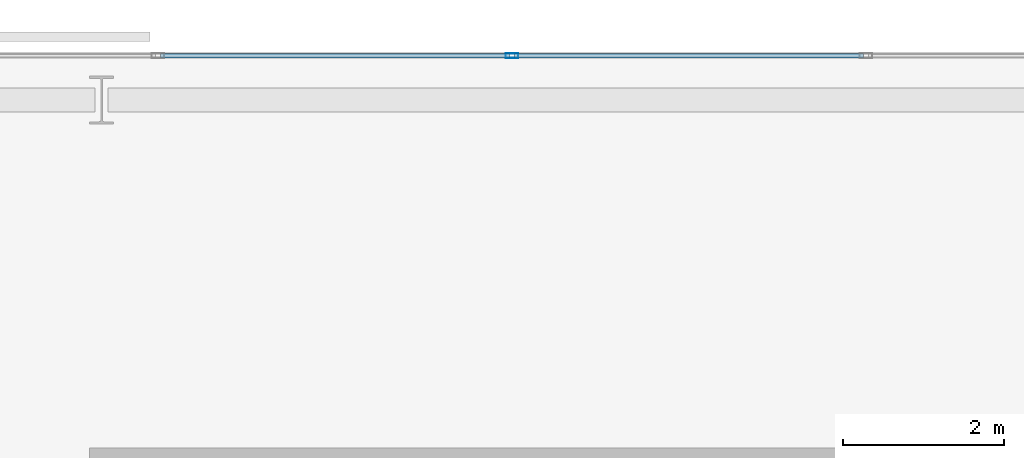
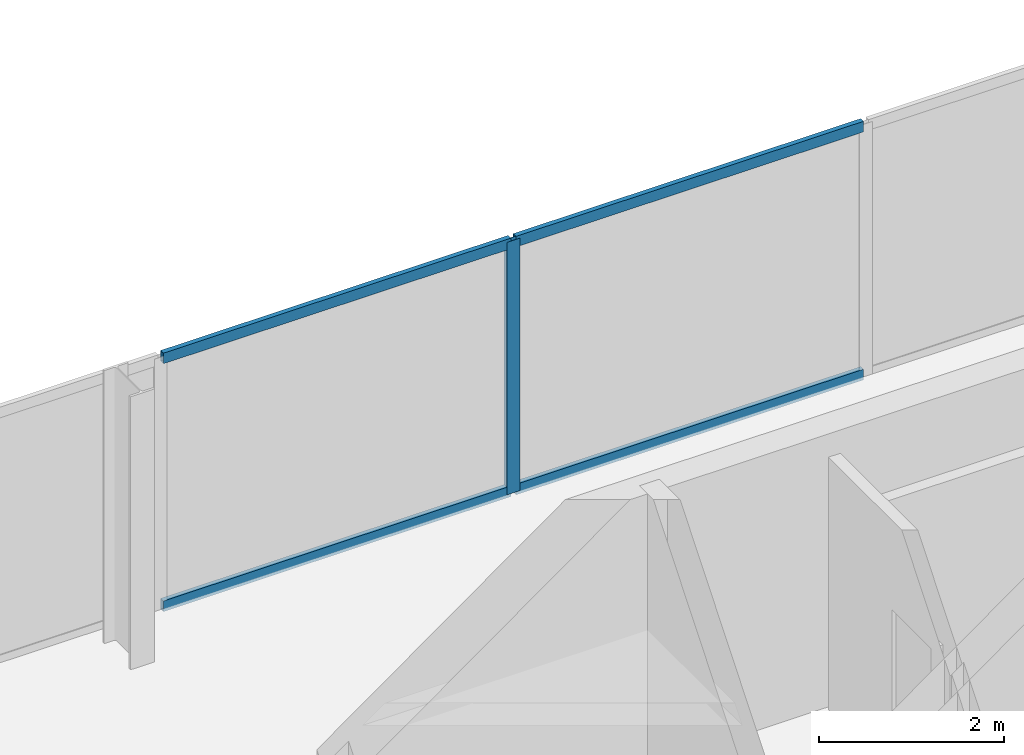
# One storey, part 20 of 32: 5 members, 1 element without a shape of its own.
"""IFC4 building model written with IfcOpenShell, lengths in metres."""

from ifc_helpers import new_model, si_unit, direction, frame, origin, origin_2d, place, context, subcontext, project, spatial, hollow_rectangle, extrude, material, layer, layer_set, material_profile, profile_set, type_object, element, aggregate, save


model = new_model("IFC4")

# Units and contexts
model_context = context("Model", 3, precision=1e-05, world=origin(), true_north=direction((0.0, 1.0)))
body_context = subcontext(model_context, "Body", "Model", "MODEL_VIEW")
ifc_project = project(units=[si_unit("LENGTHUNIT", "METRE"), si_unit("AREAUNIT", "SQUARE_METRE"), si_unit("VOLUMEUNIT", "CUBIC_METRE"), si_unit("PLANEANGLEUNIT", "RADIAN"), si_unit("MASSUNIT", "GRAM", prefix="KILO")], contexts=[model_context])

# Site, building, storey
site_placement = place(None, origin())
site = spatial("IfcSite", under=ifc_project, at=site_placement, CompositionType="ELEMENT")
building_placement = place(site_placement, origin())
building = spatial("IfcBuilding", under=site, at=building_placement, Name="Catumbela Crestline Tower", CompositionType="ELEMENT")
storey_placement = place(building_placement, frame((0.0, 0.0, 126.0)))
storey = spatial("IfcBuildingStorey", under=building, at=storey_placement, Name="L32", CompositionType="ELEMENT", Elevation=126.0)

# Curtain wall, members
ifc_material = material(Name="Aluminium alloy AW-6060-T66", Category="aluminium")
ifc_layer = layer(ifc_material, 0.18, Name="Aluminium alloy AW-6060-T66")
ifc_layer_set = layer_set([ifc_layer], Name="Aluminium alloy AW-6060-T66")
curtain_wall_type = type_object("IfcCurtainWallType", Name="CWU-Z2", PredefinedType="USERDEFINED", material=ifc_layer_set)
curtain_wall_placement = place(storey_placement, origin())
curtain_wall = element("IfcCurtainWall", 1, at=curtain_wall_placement, inside=storey, type_object=curtain_wall_type, Name="L32 Unitised Curtain Wall CW-L32-E7S1", ObjectType="UNITISED", PredefinedType="USERDEFINED")
ifc_material_profile_1 = material_profile(ifc_material, hollow_rectangle(XDim=0.06, YDim=0.16, WallThickness=0.004, at=origin_2d()), Name="ALU 160x60x4")
ifc_profile_set_1 = profile_set([ifc_material_profile_1], Name="Aluminium alloy AW-6060-T66")
member_type_1 = type_object("IfcMemberType", Name="MUL-160X60", PredefinedType="MULLION", material=ifc_profile_set_1)
member_1_placement = place(storey_placement, frame((21.1, 47.95, 0.0), z_axis=(0.0, 0.0, 1.0), x_axis=(0.0, -1.0, 0.0)))
member_1 = element("IfcMember", 2, at=member_1_placement, type_object=member_type_1, Name="CWU-Z2 mullion 7", PredefinedType="MULLION", context=body_context, shape_type="SweptSolid", body=[
    extrude(hollow_rectangle(XDim=0.06, YDim=0.16, WallThickness=0.004, at=origin_2d()), origin(), (0.0, 0.0, 1.0), 3.33),
])
ifc_material_profile_2 = material_profile(ifc_material, hollow_rectangle(XDim=0.06, YDim=0.14, WallThickness=0.004, at=origin_2d()), Name="ALU 140x60x4")
ifc_profile_set_2 = profile_set([ifc_material_profile_2], Name="Aluminium alloy AW-6060-T66")
member_type_2 = type_object("IfcMemberType", Name="TRN-140X60", PredefinedType="USERDEFINED", material=ifc_profile_set_2)
member_2_placement = place(storey_placement, frame((25.4675, 47.95, 0.03), z_axis=(-1.0, 0.0, 0.0), x_axis=(0.0, -1.0, 0.0)))
member_2 = element("IfcMember", 3, at=member_2_placement, type_object=member_type_2, Name="CWU-Z2 transom 6.1", ObjectType="TRANSOM", PredefinedType="USERDEFINED", context=body_context, shape_type="SweptSolid", body=[
    extrude(hollow_rectangle(XDim=0.06, YDim=0.14, WallThickness=0.004, at=origin_2d()), origin(), (0.0, 0.0, 1.0), 4.335),
])
member_3_placement = place(storey_placement, frame((25.4675, 47.95, 3.3), z_axis=(-1.0, 0.0, 0.0), x_axis=(0.0, -1.0, 0.0)))
member_3 = element("IfcMember", 4, at=member_3_placement, type_object=member_type_2, Name="CWU-Z2 transom 6.2", ObjectType="TRANSOM", PredefinedType="USERDEFINED", context=body_context, shape_type="SweptSolid", body=[
    extrude(hollow_rectangle(XDim=0.06, YDim=0.14, WallThickness=0.004, at=origin_2d()), origin(), (0.0, 0.0, 1.0), 4.335),
])
member_4_placement = place(storey_placement, frame((21.0675, 47.95, 0.03), z_axis=(-1.0, 0.0, 0.0), x_axis=(0.0, -1.0, 0.0)))
member_4 = element("IfcMember", 5, at=member_4_placement, type_object=member_type_2, Name="CWU-Z2 transom 7.1", ObjectType="TRANSOM", PredefinedType="USERDEFINED", context=body_context, shape_type="SweptSolid", body=[
    extrude(hollow_rectangle(XDim=0.06, YDim=0.14, WallThickness=0.004, at=origin_2d()), origin(), (0.0, 0.0, 1.0), 4.335),
])
member_5_placement = place(storey_placement, frame((21.0675, 47.95, 3.3), z_axis=(-1.0, 0.0, 0.0), x_axis=(0.0, -1.0, 0.0)))
member_5 = element("IfcMember", 6, at=member_5_placement, type_object=member_type_2, Name="CWU-Z2 transom 7.2", ObjectType="TRANSOM", PredefinedType="USERDEFINED", context=body_context, shape_type="SweptSolid", body=[
    extrude(hollow_rectangle(XDim=0.06, YDim=0.14, WallThickness=0.004, at=origin_2d()), origin(), (0.0, 0.0, 1.0), 4.335),
])
aggregate(curtain_wall, [member_1, member_2, member_3, member_4, member_5])

save(model, "model.ifc")
